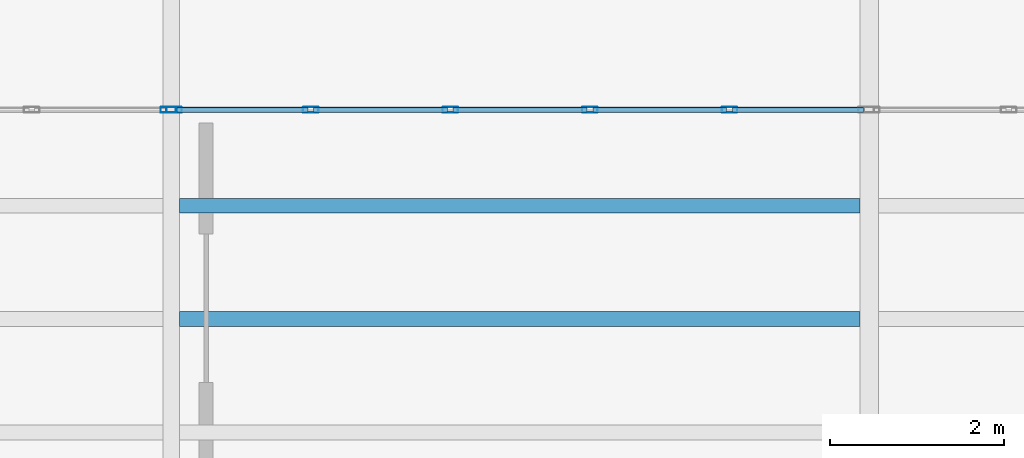
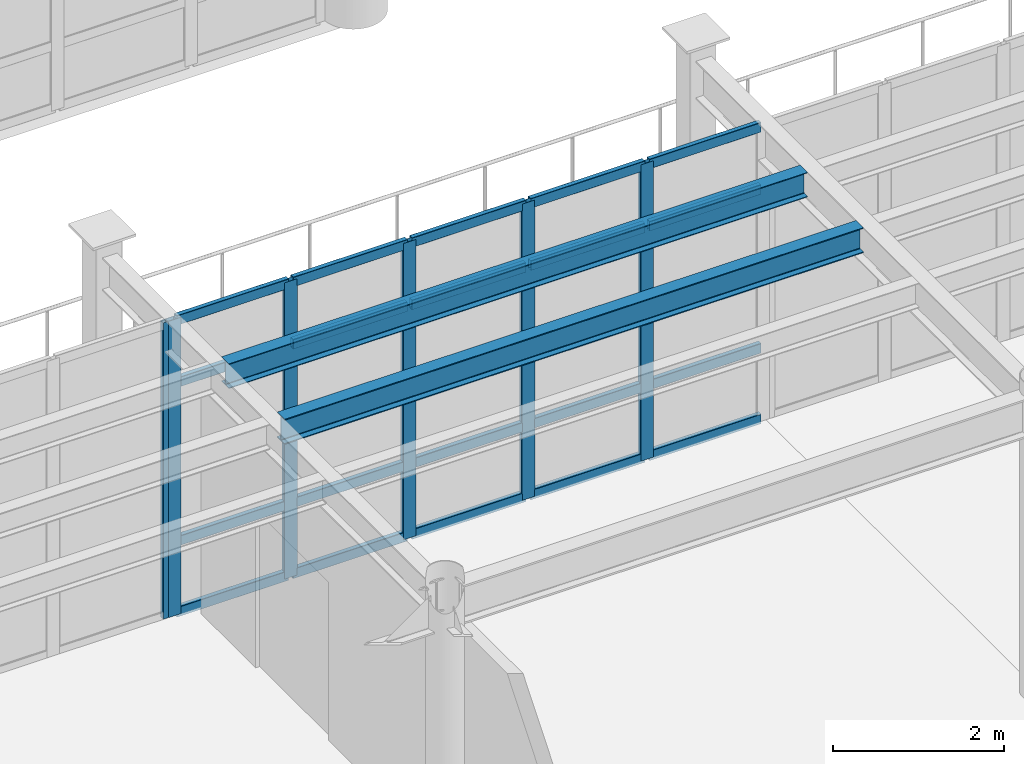
# One storey, part 27 of 111: 26 members, 2 beams, 2 elements without a shape of their own.
"""IFC4 building model written with IfcOpenShell, lengths in metres."""

from ifc_helpers import new_model, si_unit, direction, frame, origin, origin_2d, place, context, subcontext, project, spatial, hollow_rectangle, i_section, extrude, material, material_profile, profile_set, type_object, element, aggregate, save


model = new_model("IFC4")

# Units and contexts
model_context = context("Model", 3, precision=1e-05, world=origin(), true_north=direction((0.0, 1.0)))
body_context = subcontext(model_context, "Body", "Model", "MODEL_VIEW")
ifc_project = project(units=[si_unit("LENGTHUNIT", "METRE"), si_unit("AREAUNIT", "SQUARE_METRE"), si_unit("VOLUMEUNIT", "CUBIC_METRE"), si_unit("PLANEANGLEUNIT", "RADIAN"), si_unit("MASSUNIT", "GRAM", prefix="KILO")], contexts=[model_context])

# Site, building, storey
site_placement = place(None, origin())
site = spatial("IfcSite", under=ifc_project, at=site_placement, CompositionType="ELEMENT")
building_placement = place(site_placement, origin())
building = spatial("IfcBuilding", under=site, at=building_placement, Name="Solmirada Galleria", CompositionType="ELEMENT")
storey_placement = place(building_placement, frame((0.0, 0.0, 10.39990234375)))
storey = spatial("IfcBuildingStorey", under=building, at=storey_placement, Name="L02", CompositionType="ELEMENT", Elevation=10.39990234375)

# Beams
ifc_material_1 = material(Name="Steel S355 / ASTM A992 Grade 50", Category="steel")
ifc_material_profile_1 = material_profile(ifc_material_1, i_section(OverallWidth=0.172119140625, OverallDepth=0.35791015625, WebThickness=0.0078125, FlangeThickness=0.01318359375, FilletRadius=0.011962890625, at=origin_2d()), Name="W14X38")
ifc_profile_set_1 = profile_set([ifc_material_profile_1], Name="Steel S355 / ASTM A992 Grade 50")
beam_type_1 = type_object("IfcBeamType", Name="BM-JST-W14A", PredefinedType="JOIST", material=ifc_profile_set_1)
beam_1_placement = place(storey_placement, frame((104.096923828125, 36.0, 4.0810546875), z_axis=(1.0, 0.0, 0.0), x_axis=(0.0, 1.0, 0.0)))
element("IfcBeam", 1, at=beam_1_placement, inside=storey, type_object=beam_type_1, Name="Composite floor joist L03 (104..112, 36.0)", PredefinedType="JOIST", context=body_context, shape_type="SweptSolid", body=[
    extrude(i_section(OverallWidth=0.172119140625, OverallDepth=0.35791015625, WebThickness=0.0078125, FlangeThickness=0.01318359375, FilletRadius=0.011962890625, at=origin_2d()), origin(), (0.0, 0.0, 1.0), 7.798095703125),
])
ifc_material_profile_2 = material_profile(ifc_material_1, i_section(OverallWidth=0.1708984375, OverallDepth=0.35205078125, WebThickness=0.0068359375, FlangeThickness=0.009765625, FilletRadius=0.010986328125, at=origin_2d()), Name="W14X30")
ifc_profile_set_2 = profile_set([ifc_material_profile_2], Name="Steel S355 / ASTM A992 Grade 50")
beam_type_2 = type_object("IfcBeamType", Name="BM-JST-W14B", PredefinedType="JOIST", material=ifc_profile_set_2)
beam_2_placement = place(storey_placement, frame((104.096923828125, 37.300048828125, 4.083984375), z_axis=(1.0, 0.0, 0.0), x_axis=(0.0, 1.0, 0.0)))
element("IfcBeam", 2, at=beam_2_placement, inside=storey, type_object=beam_type_2, Name="Terrace deck joist L03-TERR-SE X=104..112 (2)", PredefinedType="JOIST", context=body_context, shape_type="SweptSolid", body=[
    extrude(i_section(OverallWidth=0.1708984375, OverallDepth=0.35205078125, WebThickness=0.0068359375, FlangeThickness=0.009765625, FilletRadius=0.010986328125, at=origin_2d()), origin(), (0.0, 0.0, 1.0), 7.798095703125),
])

# Curtain wall, member
ifc_material_2 = material(Name="Impact-resistant low-E double glazing", Category="glass")
curtain_wall_type = type_object("IfcCurtainWallType", Name="CW-FZ5-L02-B5-L080", PredefinedType="NOTDEFINED", material=ifc_material_2)
curtain_wall_1_placement = place(storey_placement, origin())
curtain_wall_1 = element("IfcCurtainWall", 3, at=curtain_wall_1_placement, inside=storey, type_object=curtain_wall_type, Name="Terrace and arcade storefront CW-L02-111", PredefinedType="NOTDEFINED")
ifc_material_3 = material(Name="Anodised aluminium framing", Category="aluminium")
ifc_material_profile_3 = material_profile(ifc_material_3, hollow_rectangle(XDim=0.06494140625, YDim=0.179931640625, WallThickness=0.00390625, InnerFilletRadius=0.00390625, OuterFilletRadius=0.008056640625, at=origin_2d()), Name="ALU-MULL-180X65")
ifc_profile_set_3 = profile_set([ifc_material_profile_3], Name="Anodised aluminium framing")
member_type_1 = type_object("IfcMemberType", Name="CW-MULL-180", PredefinedType="MULLION", material=ifc_profile_set_3)
member_1_placement = place(storey_placement, frame((103.967529296875, 38.39990234375, 0.0), z_axis=(0.0, 0.0, 1.0), x_axis=(0.0, 1.0, 0.0)))
member_1 = element("IfcMember", 4, at=member_1_placement, type_object=member_type_1, Name="CW25 mullion 6", PredefinedType="MULLION", context=body_context, shape_type="SweptSolid", body=[
    extrude(hollow_rectangle(XDim=0.06494140625, YDim=0.179931640625, WallThickness=0.00390625, InnerFilletRadius=0.00390625, OuterFilletRadius=0.008056640625, at=origin_2d()), origin(), (0.0, 0.0, 1.0), 4.22021484375),
])
aggregate(curtain_wall_1, [member_1])

# Curtain wall, members
curtain_wall_2_placement = place(storey_placement, origin())
curtain_wall_2 = element("IfcCurtainWall", 5, at=curtain_wall_2_placement, inside=storey, type_object=curtain_wall_type, Name="Terrace and arcade storefront CW-L02-112", PredefinedType="NOTDEFINED")
member_2_placement = place(storey_placement, frame((104.032470703125, 38.39990234375, 0.0), z_axis=(0.0, 0.0, 1.0), x_axis=(0.0, 1.0, 0.0)))
member_2 = element("IfcMember", 6, at=member_2_placement, type_object=member_type_1, Name="CW25 mullion 1", PredefinedType="MULLION", context=body_context, shape_type="SweptSolid", body=[
    extrude(hollow_rectangle(XDim=0.06494140625, YDim=0.179931640625, WallThickness=0.00390625, InnerFilletRadius=0.00390625, OuterFilletRadius=0.008056640625, at=origin_2d()), origin(), (0.0, 0.0, 1.0), 4.22021484375),
])
member_3_placement = place(storey_placement, frame((105.60009765625, 38.39990234375, 0.0), z_axis=(0.0, 0.0, 1.0), x_axis=(0.0, 1.0, 0.0)))
member_3 = element("IfcMember", 7, at=member_3_placement, type_object=member_type_1, Name="CW25 mullion 2", PredefinedType="MULLION", context=body_context, shape_type="SweptSolid", body=[
    extrude(hollow_rectangle(XDim=0.06494140625, YDim=0.179931640625, WallThickness=0.00390625, InnerFilletRadius=0.00390625, OuterFilletRadius=0.008056640625, at=origin_2d()), origin(), (0.0, 0.0, 1.0), 4.22021484375),
])
member_4_placement = place(storey_placement, frame((107.199951171875, 38.39990234375, 0.0), z_axis=(0.0, 0.0, 1.0), x_axis=(0.0, 1.0, 0.0)))
member_4 = element("IfcMember", 8, at=member_4_placement, type_object=member_type_1, Name="CW25 mullion 3", PredefinedType="MULLION", context=body_context, shape_type="SweptSolid", body=[
    extrude(hollow_rectangle(XDim=0.06494140625, YDim=0.179931640625, WallThickness=0.00390625, InnerFilletRadius=0.00390625, OuterFilletRadius=0.008056640625, at=origin_2d()), origin(), (0.0, 0.0, 1.0), 4.22021484375),
])
member_5_placement = place(storey_placement, frame((108.800048828125, 38.39990234375, 0.0), z_axis=(0.0, 0.0, 1.0), x_axis=(0.0, 1.0, 0.0)))
member_5 = element("IfcMember", 9, at=member_5_placement, type_object=member_type_1, Name="CW25 mullion 4", PredefinedType="MULLION", context=body_context, shape_type="SweptSolid", body=[
    extrude(hollow_rectangle(XDim=0.06494140625, YDim=0.179931640625, WallThickness=0.00390625, InnerFilletRadius=0.00390625, OuterFilletRadius=0.008056640625, at=origin_2d()), origin(), (0.0, 0.0, 1.0), 4.22021484375),
])
member_6_placement = place(storey_placement, frame((110.39990234375, 38.39990234375, 0.0), z_axis=(0.0, 0.0, 1.0), x_axis=(0.0, 1.0, 0.0)))
member_6 = element("IfcMember", 10, at=member_6_placement, type_object=member_type_1, Name="CW25 mullion 5", PredefinedType="MULLION", context=body_context, shape_type="SweptSolid", body=[
    extrude(hollow_rectangle(XDim=0.06494140625, YDim=0.179931640625, WallThickness=0.00390625, InnerFilletRadius=0.00390625, OuterFilletRadius=0.008056640625, at=origin_2d()), origin(), (0.0, 0.0, 1.0), 4.22021484375),
])
ifc_material_profile_4 = material_profile(ifc_material_3, hollow_rectangle(XDim=0.06494140625, YDim=0.139892578125, WallThickness=0.00341796875, InnerFilletRadius=0.00341796875, OuterFilletRadius=0.007080078125, at=origin_2d()), Name="ALU-TRAN-140X65")
ifc_profile_set_4 = profile_set([ifc_material_profile_4], Name="Anodised aluminium framing")
member_type_2 = type_object("IfcMemberType", Name="CW-TRAN-140", PredefinedType="USERDEFINED", material=ifc_profile_set_4)
member_7_placement = place(storey_placement, frame((104.06494140625, 38.39990234375, 0.03271484375), z_axis=(1.0, 0.0, 0.0), x_axis=(0.0, 1.0, 0.0)))
member_7 = element("IfcMember", 11, at=member_7_placement, type_object=member_type_2, Name="CW25 transom 1.1", ObjectType="TRANSOM", PredefinedType="USERDEFINED", context=body_context, shape_type="SweptSolid", body=[
    extrude(hollow_rectangle(XDim=0.06494140625, YDim=0.139892578125, WallThickness=0.00341796875, InnerFilletRadius=0.00341796875, OuterFilletRadius=0.007080078125, at=origin_2d()), origin(), (0.0, 0.0, 1.0), 1.50244140625),
])
member_8_placement = place(storey_placement, frame((104.06494140625, 38.39990234375, 1.0400390625), z_axis=(1.0, 0.0, 0.0), x_axis=(0.0, 1.0, 0.0)))
member_8 = element("IfcMember", 12, at=member_8_placement, type_object=member_type_2, Name="CW25 transom 1.2", ObjectType="TRANSOM", PredefinedType="USERDEFINED", context=body_context, shape_type="SweptSolid", body=[
    extrude(hollow_rectangle(XDim=0.06494140625, YDim=0.139892578125, WallThickness=0.00341796875, InnerFilletRadius=0.00341796875, OuterFilletRadius=0.007080078125, at=origin_2d()), origin(), (0.0, 0.0, 1.0), 1.50244140625),
])
member_9_placement = place(storey_placement, frame((104.06494140625, 38.39990234375, 3.300048828125), z_axis=(1.0, 0.0, 0.0), x_axis=(0.0, 1.0, 0.0)))
member_9 = element("IfcMember", 13, at=member_9_placement, type_object=member_type_2, Name="CW25 transom 1.3", ObjectType="TRANSOM", PredefinedType="USERDEFINED", context=body_context, shape_type="SweptSolid", body=[
    extrude(hollow_rectangle(XDim=0.06494140625, YDim=0.139892578125, WallThickness=0.00341796875, InnerFilletRadius=0.00341796875, OuterFilletRadius=0.007080078125, at=origin_2d()), origin(), (0.0, 0.0, 1.0), 1.50244140625),
])
member_10_placement = place(storey_placement, frame((104.06494140625, 38.39990234375, 4.1875), z_axis=(1.0, 0.0, 0.0), x_axis=(0.0, 1.0, 0.0)))
member_10 = element("IfcMember", 14, at=member_10_placement, type_object=member_type_2, Name="CW25 transom 1.4", ObjectType="TRANSOM", PredefinedType="USERDEFINED", context=body_context, shape_type="SweptSolid", body=[
    extrude(hollow_rectangle(XDim=0.06494140625, YDim=0.139892578125, WallThickness=0.00341796875, InnerFilletRadius=0.00341796875, OuterFilletRadius=0.007080078125, at=origin_2d()), origin(), (0.0, 0.0, 1.0), 1.50244140625),
])
member_11_placement = place(storey_placement, frame((105.632568359375, 38.39990234375, 0.03271484375), z_axis=(1.0, 0.0, 0.0), x_axis=(0.0, 1.0, 0.0)))
member_11 = element("IfcMember", 15, at=member_11_placement, type_object=member_type_2, Name="CW25 transom 2.1", ObjectType="TRANSOM", PredefinedType="USERDEFINED", context=body_context, shape_type="SweptSolid", body=[
    extrude(hollow_rectangle(XDim=0.06494140625, YDim=0.139892578125, WallThickness=0.00341796875, InnerFilletRadius=0.00341796875, OuterFilletRadius=0.007080078125, at=origin_2d()), origin(), (0.0, 0.0, 1.0), 1.534912109375),
])
member_12_placement = place(storey_placement, frame((105.632568359375, 38.39990234375, 1.0400390625), z_axis=(1.0, 0.0, 0.0), x_axis=(0.0, 1.0, 0.0)))
member_12 = element("IfcMember", 16, at=member_12_placement, type_object=member_type_2, Name="CW25 transom 2.2", ObjectType="TRANSOM", PredefinedType="USERDEFINED", context=body_context, shape_type="SweptSolid", body=[
    extrude(hollow_rectangle(XDim=0.06494140625, YDim=0.139892578125, WallThickness=0.00341796875, InnerFilletRadius=0.00341796875, OuterFilletRadius=0.007080078125, at=origin_2d()), origin(), (0.0, 0.0, 1.0), 1.534912109375),
])
member_13_placement = place(storey_placement, frame((105.632568359375, 38.39990234375, 3.300048828125), z_axis=(1.0, 0.0, 0.0), x_axis=(0.0, 1.0, 0.0)))
member_13 = element("IfcMember", 17, at=member_13_placement, type_object=member_type_2, Name="CW25 transom 2.3", ObjectType="TRANSOM", PredefinedType="USERDEFINED", context=body_context, shape_type="SweptSolid", body=[
    extrude(hollow_rectangle(XDim=0.06494140625, YDim=0.139892578125, WallThickness=0.00341796875, InnerFilletRadius=0.00341796875, OuterFilletRadius=0.007080078125, at=origin_2d()), origin(), (0.0, 0.0, 1.0), 1.534912109375),
])
member_14_placement = place(storey_placement, frame((105.632568359375, 38.39990234375, 4.1875), z_axis=(1.0, 0.0, 0.0), x_axis=(0.0, 1.0, 0.0)))
member_14 = element("IfcMember", 18, at=member_14_placement, type_object=member_type_2, Name="CW25 transom 2.4", ObjectType="TRANSOM", PredefinedType="USERDEFINED", context=body_context, shape_type="SweptSolid", body=[
    extrude(hollow_rectangle(XDim=0.06494140625, YDim=0.139892578125, WallThickness=0.00341796875, InnerFilletRadius=0.00341796875, OuterFilletRadius=0.007080078125, at=origin_2d()), origin(), (0.0, 0.0, 1.0), 1.534912109375),
])
member_15_placement = place(storey_placement, frame((107.232421875, 38.39990234375, 0.03271484375), z_axis=(1.0, 0.0, 0.0), x_axis=(0.0, 1.0, 0.0)))
member_15 = element("IfcMember", 19, at=member_15_placement, type_object=member_type_2, Name="CW25 transom 3.1", ObjectType="TRANSOM", PredefinedType="USERDEFINED", context=body_context, shape_type="SweptSolid", body=[
    extrude(hollow_rectangle(XDim=0.06494140625, YDim=0.139892578125, WallThickness=0.00341796875, InnerFilletRadius=0.00341796875, OuterFilletRadius=0.007080078125, at=origin_2d()), origin(), (0.0, 0.0, 1.0), 1.53515625),
])
member_16_placement = place(storey_placement, frame((107.232421875, 38.39990234375, 1.0400390625), z_axis=(1.0, 0.0, 0.0), x_axis=(0.0, 1.0, 0.0)))
member_16 = element("IfcMember", 20, at=member_16_placement, type_object=member_type_2, Name="CW25 transom 3.2", ObjectType="TRANSOM", PredefinedType="USERDEFINED", context=body_context, shape_type="SweptSolid", body=[
    extrude(hollow_rectangle(XDim=0.06494140625, YDim=0.139892578125, WallThickness=0.00341796875, InnerFilletRadius=0.00341796875, OuterFilletRadius=0.007080078125, at=origin_2d()), origin(), (0.0, 0.0, 1.0), 1.53515625),
])
member_17_placement = place(storey_placement, frame((107.232421875, 38.39990234375, 3.300048828125), z_axis=(1.0, 0.0, 0.0), x_axis=(0.0, 1.0, 0.0)))
member_17 = element("IfcMember", 21, at=member_17_placement, type_object=member_type_2, Name="CW25 transom 3.3", ObjectType="TRANSOM", PredefinedType="USERDEFINED", context=body_context, shape_type="SweptSolid", body=[
    extrude(hollow_rectangle(XDim=0.06494140625, YDim=0.139892578125, WallThickness=0.00341796875, InnerFilletRadius=0.00341796875, OuterFilletRadius=0.007080078125, at=origin_2d()), origin(), (0.0, 0.0, 1.0), 1.53515625),
])
member_18_placement = place(storey_placement, frame((107.232421875, 38.39990234375, 4.1875), z_axis=(1.0, 0.0, 0.0), x_axis=(0.0, 1.0, 0.0)))
member_18 = element("IfcMember", 22, at=member_18_placement, type_object=member_type_2, Name="CW25 transom 3.4", ObjectType="TRANSOM", PredefinedType="USERDEFINED", context=body_context, shape_type="SweptSolid", body=[
    extrude(hollow_rectangle(XDim=0.06494140625, YDim=0.139892578125, WallThickness=0.00341796875, InnerFilletRadius=0.00341796875, OuterFilletRadius=0.007080078125, at=origin_2d()), origin(), (0.0, 0.0, 1.0), 1.53515625),
])
member_19_placement = place(storey_placement, frame((108.83251953125, 38.39990234375, 0.03271484375), z_axis=(1.0, 0.0, 0.0), x_axis=(0.0, 1.0, 0.0)))
member_19 = element("IfcMember", 23, at=member_19_placement, type_object=member_type_2, Name="CW25 transom 4.1", ObjectType="TRANSOM", PredefinedType="USERDEFINED", context=body_context, shape_type="SweptSolid", body=[
    extrude(hollow_rectangle(XDim=0.06494140625, YDim=0.139892578125, WallThickness=0.00341796875, InnerFilletRadius=0.00341796875, OuterFilletRadius=0.007080078125, at=origin_2d()), origin(), (0.0, 0.0, 1.0), 1.534912109375),
])
member_20_placement = place(storey_placement, frame((108.83251953125, 38.39990234375, 1.0400390625), z_axis=(1.0, 0.0, 0.0), x_axis=(0.0, 1.0, 0.0)))
member_20 = element("IfcMember", 24, at=member_20_placement, type_object=member_type_2, Name="CW25 transom 4.2", ObjectType="TRANSOM", PredefinedType="USERDEFINED", context=body_context, shape_type="SweptSolid", body=[
    extrude(hollow_rectangle(XDim=0.06494140625, YDim=0.139892578125, WallThickness=0.00341796875, InnerFilletRadius=0.00341796875, OuterFilletRadius=0.007080078125, at=origin_2d()), origin(), (0.0, 0.0, 1.0), 1.534912109375),
])
member_21_placement = place(storey_placement, frame((108.83251953125, 38.39990234375, 3.300048828125), z_axis=(1.0, 0.0, 0.0), x_axis=(0.0, 1.0, 0.0)))
member_21 = element("IfcMember", 25, at=member_21_placement, type_object=member_type_2, Name="CW25 transom 4.3", ObjectType="TRANSOM", PredefinedType="USERDEFINED", context=body_context, shape_type="SweptSolid", body=[
    extrude(hollow_rectangle(XDim=0.06494140625, YDim=0.139892578125, WallThickness=0.00341796875, InnerFilletRadius=0.00341796875, OuterFilletRadius=0.007080078125, at=origin_2d()), origin(), (0.0, 0.0, 1.0), 1.534912109375),
])
member_22_placement = place(storey_placement, frame((108.83251953125, 38.39990234375, 4.1875), z_axis=(1.0, 0.0, 0.0), x_axis=(0.0, 1.0, 0.0)))
member_22 = element("IfcMember", 26, at=member_22_placement, type_object=member_type_2, Name="CW25 transom 4.4", ObjectType="TRANSOM", PredefinedType="USERDEFINED", context=body_context, shape_type="SweptSolid", body=[
    extrude(hollow_rectangle(XDim=0.06494140625, YDim=0.139892578125, WallThickness=0.00341796875, InnerFilletRadius=0.00341796875, OuterFilletRadius=0.007080078125, at=origin_2d()), origin(), (0.0, 0.0, 1.0), 1.534912109375),
])
member_23_placement = place(storey_placement, frame((110.4326171875, 38.39990234375, 0.03271484375), z_axis=(1.0, 0.0, 0.0), x_axis=(0.0, 1.0, 0.0)))
member_23 = element("IfcMember", 27, at=member_23_placement, type_object=member_type_2, Name="CW25 transom 5.1", ObjectType="TRANSOM", PredefinedType="USERDEFINED", context=body_context, shape_type="SweptSolid", body=[
    extrude(hollow_rectangle(XDim=0.06494140625, YDim=0.139892578125, WallThickness=0.00341796875, InnerFilletRadius=0.00341796875, OuterFilletRadius=0.007080078125, at=origin_2d()), origin(), (0.0, 0.0, 1.0), 1.50244140625),
])
member_24_placement = place(storey_placement, frame((110.4326171875, 38.39990234375, 1.0400390625), z_axis=(1.0, 0.0, 0.0), x_axis=(0.0, 1.0, 0.0)))
member_24 = element("IfcMember", 28, at=member_24_placement, type_object=member_type_2, Name="CW25 transom 5.2", ObjectType="TRANSOM", PredefinedType="USERDEFINED", context=body_context, shape_type="SweptSolid", body=[
    extrude(hollow_rectangle(XDim=0.06494140625, YDim=0.139892578125, WallThickness=0.00341796875, InnerFilletRadius=0.00341796875, OuterFilletRadius=0.007080078125, at=origin_2d()), origin(), (0.0, 0.0, 1.0), 1.50244140625),
])
member_25_placement = place(storey_placement, frame((110.4326171875, 38.39990234375, 3.300048828125), z_axis=(1.0, 0.0, 0.0), x_axis=(0.0, 1.0, 0.0)))
member_25 = element("IfcMember", 29, at=member_25_placement, type_object=member_type_2, Name="CW25 transom 5.3", ObjectType="TRANSOM", PredefinedType="USERDEFINED", context=body_context, shape_type="SweptSolid", body=[
    extrude(hollow_rectangle(XDim=0.06494140625, YDim=0.139892578125, WallThickness=0.00341796875, InnerFilletRadius=0.00341796875, OuterFilletRadius=0.007080078125, at=origin_2d()), origin(), (0.0, 0.0, 1.0), 1.50244140625),
])
member_26_placement = place(storey_placement, frame((110.4326171875, 38.39990234375, 4.1875), z_axis=(1.0, 0.0, 0.0), x_axis=(0.0, 1.0, 0.0)))
member_26 = element("IfcMember", 30, at=member_26_placement, type_object=member_type_2, Name="CW25 transom 5.4", ObjectType="TRANSOM", PredefinedType="USERDEFINED", context=body_context, shape_type="SweptSolid", body=[
    extrude(hollow_rectangle(XDim=0.06494140625, YDim=0.139892578125, WallThickness=0.00341796875, InnerFilletRadius=0.00341796875, OuterFilletRadius=0.007080078125, at=origin_2d()), origin(), (0.0, 0.0, 1.0), 1.50244140625),
])
aggregate(curtain_wall_2, [member_2, member_3, member_4, member_5, member_6, member_7, member_8, member_9, member_10, member_11, member_12, member_13, member_14, member_15, member_16, member_17, member_18, member_19, member_20, member_21, member_22, member_23, member_24, member_25, member_26])

save(model, "model.ifc")
